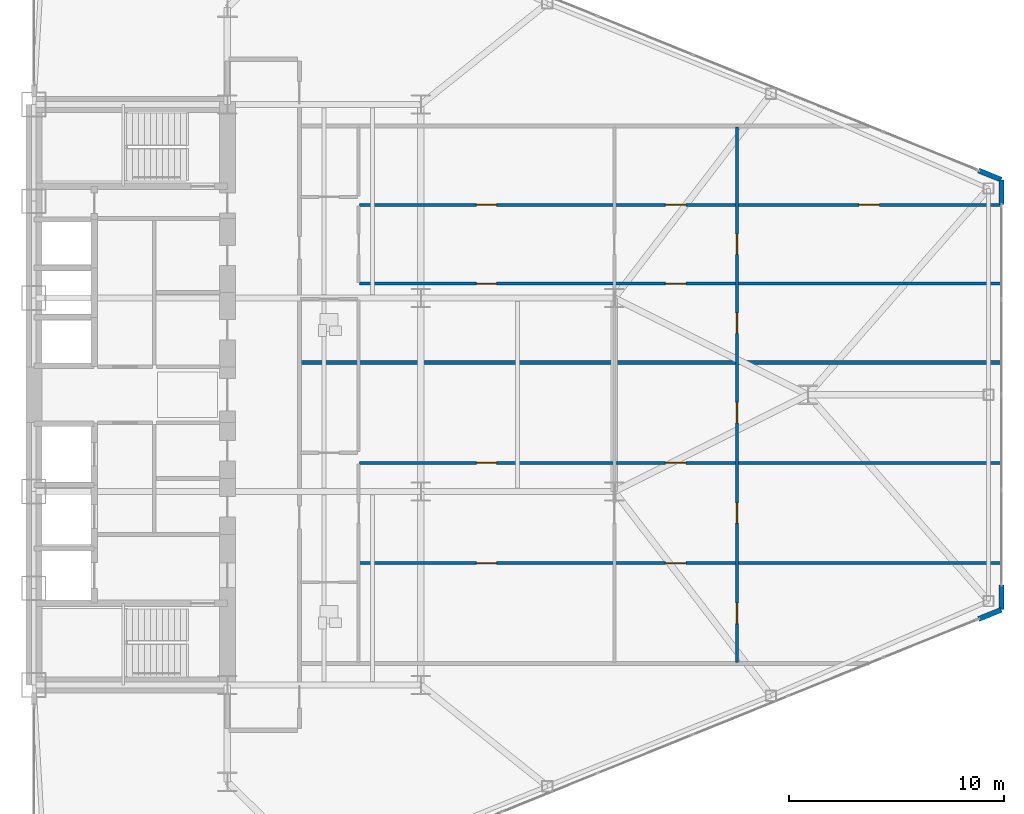
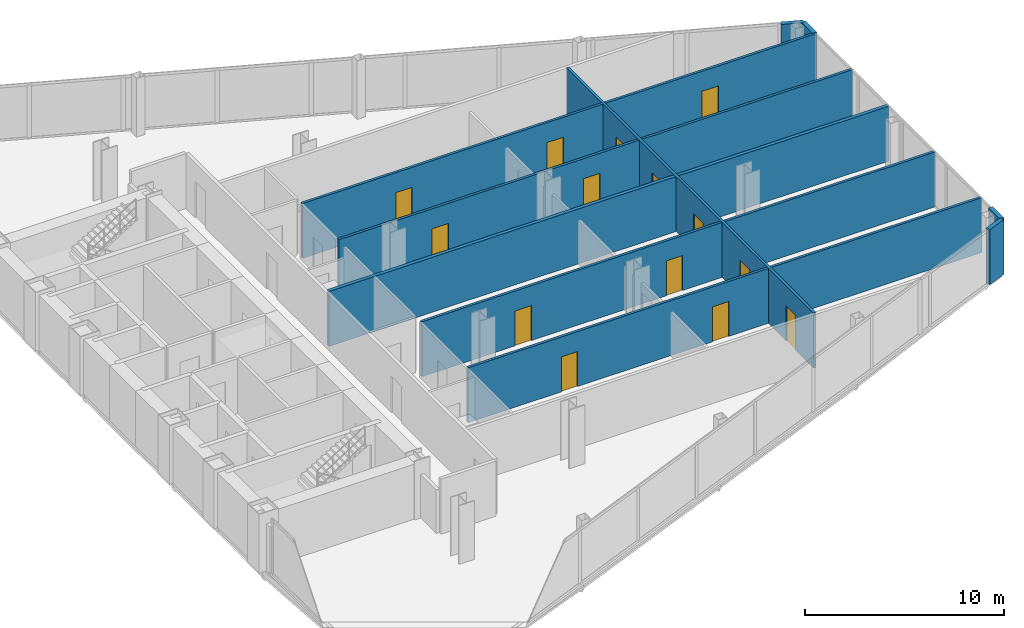
# One storey, part 22 of 25: 14 doors, 10 walls, 14 openings.
"""IFC4 building model written with IfcOpenShell, lengths in metres."""

from ifc_helpers import new_model, si_unit, direction, frame, frame_2d, origin, place, context, subcontext, project, spatial, rectangle, extrude, source, transform, mapped, material, layer, layer_set, type_object, type_shapes, element, fill, save


model = new_model("IFC4")

# Units and contexts
model_context = context("Model", 3, precision=1e-05, world=origin(), true_north=direction((0.0, 1.0)))
body_context = subcontext(model_context, "Body", "Model", "MODEL_VIEW")
ifc_project = project(units=[si_unit("LENGTHUNIT", "METRE"), si_unit("AREAUNIT", "SQUARE_METRE"), si_unit("VOLUMEUNIT", "CUBIC_METRE"), si_unit("PLANEANGLEUNIT", "RADIAN"), si_unit("MASSUNIT", "GRAM", prefix="KILO")], contexts=[model_context])

# Site, building, storey
site_placement = place(None, origin())
site = spatial("IfcSite", under=ifc_project, at=site_placement, CompositionType="ELEMENT")
building_placement = place(site_placement, origin())
building = spatial("IfcBuilding", under=site, at=building_placement, Name="Seokmaru Belvedere", CompositionType="ELEMENT")
storey_placement = place(building_placement, frame((0.0, 0.0, 51.300048828125)))
storey = spatial("IfcBuildingStorey", under=building, at=storey_placement, Name="L13", CompositionType="ELEMENT", Elevation=51.300048828125)

# Wall, openings, doors
ifc_material_1 = material(Name="Fire-Rated Gypsum Shaftwall")
ifc_layer_1 = layer(ifc_material_1, 0.14990234375)
ifc_layer_set_1 = layer_set([ifc_layer_1], Name="Fire-Rated Gypsum Shaftwall")
wall_type_1 = type_object("IfcWallType", Name="Apartment Fire-Acoustic Room Partition 150", PredefinedType="PARTITIONING", material=ifc_layer_set_1)
wall_1_placement = place(storey_placement, frame((42.64990234375, -7.830078125, 0.0), z_axis=(0.0, 0.0, 1.0), x_axis=(1.0, 0.0, 0.0)))
wall_1 = element("IfcWall", 1, at=wall_1_placement, inside=storey, type_object=wall_type_1, Name="L13 Interior Partition 012", PredefinedType="PARTITIONING", context=body_context, shape_type="SweptSolid", body=[
    extrude(rectangle(XDim=29.885009765625, YDim=0.14990234375, at=frame_2d((14.9423828125, 0.0))), origin(), (0.0, 0.0, 1.0), 3.3798828125),
])
opening_1_placement = place(wall_1_placement, frame((5.425048828125, 0.0, 0.0)))
opening_1 = element("IfcOpeningElement", 2, at=opening_1_placement, cuts=wall_1, Name="Opening D05", PredefinedType="OPENING", context=body_context, shape_type="SweptSolid", body=[
    extrude(rectangle(XDim=0.949951171875, YDim=2.14990234375, at=frame_2d((0.47509765625, 1.074951171875))), frame((0.0, 0.0849609375, 0.0), z_axis=(0.0, -1.0, 0.0), x_axis=(1.0, 0.0, 0.0)), (0.0, 0.0, 1.0), 0.169921875),
])
opening_2_placement = place(wall_1_placement, frame((14.22509765625, 0.0, 0.0)))
opening_2 = element("IfcOpeningElement", 3, at=opening_2_placement, cuts=wall_1, Name="Opening D05", PredefinedType="OPENING", context=body_context, shape_type="SweptSolid", body=[
    extrude(rectangle(XDim=0.949951171875, YDim=2.14990234375, at=frame_2d((0.47509765625, 1.074951171875))), frame((0.0, 0.0849609375, 0.0), z_axis=(0.0, -1.0, 0.0), x_axis=(1.0, 0.0, 0.0)), (0.0, 0.0, 1.0), 0.169921875),
])
ifc_material_2 = material(Name="Engineered White Oak Timber", Category="wood")
door_type = type_object("IfcDoorType", Name="Apartment Interior Fire-Rated Oak Door 950x2150", OperationType="NOTDEFINED", PredefinedType="DOOR", material=ifc_material_2)
shared_shape = source(origin(), body_context, "Body", "SweptSolid", [
    extrude(rectangle(XDim=0.949951171875, YDim=2.14990234375, at=frame_2d((0.47509765625, 1.074951171875))), frame((0.0, 0.02490234375, 0.0), z_axis=(0.0, -1.0, 0.0), x_axis=(1.0, 0.0, 0.0)), (0.0, 0.0, 1.0), 0.050048828125),
])
type_shapes(door_type, [shared_shape])
door_1_placement = place(opening_1_placement, origin())
door_1 = element("IfcDoor", 4, at=door_1_placement, inside=storey, type_object=door_type, Name="L13 Interior Door 043", OperationType="SINGLE_SWING_LEFT", OverallHeight=2.14990234375, OverallWidth=0.949951171875, PredefinedType="DOOR", context=body_context, shape_type="MappedRepresentation", body=[
    mapped(shared_shape, transform((0.0, 0.0, 0.0), scale=1.0)),
])
fill(opening_1, door_1)
door_2_placement = place(opening_2_placement, origin())
door_2 = element("IfcDoor", 5, at=door_2_placement, inside=storey, type_object=door_type, Name="L13 Interior Door 045", OperationType="SINGLE_SWING_RIGHT", OverallHeight=2.14990234375, OverallWidth=0.949951171875, PredefinedType="DOOR", context=body_context, shape_type="MappedRepresentation", body=[
    mapped(shared_shape, transform((0.0, 0.0, 0.0), scale=1.0)),
])
fill(opening_2, door_2)

wall_2_placement = place(storey_placement, frame((42.64990234375, -3.169921875, 0.0), z_axis=(0.0, 0.0, 1.0), x_axis=(1.0, 0.0, 0.0)))
wall_2 = element("IfcWall", 6, at=wall_2_placement, inside=storey, type_object=wall_type_1, Name="L13 Interior Partition 015", PredefinedType="PARTITIONING", context=body_context, shape_type="SweptSolid", body=[
    extrude(rectangle(XDim=29.885009765625, YDim=0.14990234375, at=frame_2d((14.9423828125, 0.0))), origin(), (0.0, 0.0, 1.0), 3.3798828125),
])
opening_3_placement = place(wall_2_placement, frame((5.425048828125, 0.0, 0.0)))
opening_3 = element("IfcOpeningElement", 7, at=opening_3_placement, cuts=wall_2, Name="Opening D05", PredefinedType="OPENING", context=body_context, shape_type="SweptSolid", body=[
    extrude(rectangle(XDim=0.949951171875, YDim=2.14990234375, at=frame_2d((0.47509765625, 1.074951171875))), frame((0.0, 0.0849609375, 0.0), z_axis=(0.0, -1.0, 0.0), x_axis=(1.0, 0.0, 0.0)), (0.0, 0.0, 1.0), 0.169921875),
])
opening_4_placement = place(wall_2_placement, frame((14.22509765625, 0.0, 0.0)))
opening_4 = element("IfcOpeningElement", 8, at=opening_4_placement, cuts=wall_2, Name="Opening D05", PredefinedType="OPENING", context=body_context, shape_type="SweptSolid", body=[
    extrude(rectangle(XDim=0.949951171875, YDim=2.14990234375, at=frame_2d((0.47509765625, 1.074951171875))), frame((0.0, 0.0849609375, 0.0), z_axis=(0.0, -1.0, 0.0), x_axis=(1.0, 0.0, 0.0)), (0.0, 0.0, 1.0), 0.169921875),
])
door_3_placement = place(opening_3_placement, origin())
door_3 = element("IfcDoor", 9, at=door_3_placement, inside=storey, type_object=door_type, Name="L13 Interior Door 044", OperationType="SINGLE_SWING_RIGHT", OverallHeight=2.14990234375, OverallWidth=0.949951171875, PredefinedType="DOOR", context=body_context, shape_type="MappedRepresentation", body=[
    mapped(shared_shape, transform((0.0, 0.0, 0.0), scale=1.0)),
])
fill(opening_3, door_3)
door_4_placement = place(opening_4_placement, origin())
door_4 = element("IfcDoor", 10, at=door_4_placement, inside=storey, type_object=door_type, Name="L13 Interior Door 048", OperationType="SINGLE_SWING_RIGHT", OverallHeight=2.14990234375, OverallWidth=0.949951171875, PredefinedType="DOOR", context=body_context, shape_type="MappedRepresentation", body=[
    mapped(shared_shape, transform((0.0, 0.0, 0.0), scale=1.0)),
])
fill(opening_4, door_4)

wall_3_placement = place(storey_placement, frame((42.64990234375, 5.169921875, 0.0), z_axis=(0.0, 0.0, 1.0), x_axis=(1.0, 0.0, 0.0)))
wall_3 = element("IfcWall", 11, at=wall_3_placement, inside=storey, type_object=wall_type_1, Name="L13 Interior Partition 021", PredefinedType="PARTITIONING", context=body_context, shape_type="SweptSolid", body=[
    extrude(rectangle(XDim=29.885009765625, YDim=0.14990234375, at=frame_2d((14.9423828125, 0.0))), origin(), (0.0, 0.0, 1.0), 3.3798828125),
])
opening_5_placement = place(wall_3_placement, frame((5.425048828125, 0.0, 0.0)))
opening_5 = element("IfcOpeningElement", 12, at=opening_5_placement, cuts=wall_3, Name="Opening D05", PredefinedType="OPENING", context=body_context, shape_type="SweptSolid", body=[
    extrude(rectangle(XDim=0.949951171875, YDim=2.14990234375, at=frame_2d((0.47509765625, 1.074951171875))), frame((0.0, 0.0849609375, 0.0), z_axis=(0.0, -1.0, 0.0), x_axis=(1.0, 0.0, 0.0)), (0.0, 0.0, 1.0), 0.169921875),
])
opening_6_placement = place(wall_3_placement, frame((14.22509765625, 0.0, 0.0)))
opening_6 = element("IfcOpeningElement", 13, at=opening_6_placement, cuts=wall_3, Name="Opening D05", PredefinedType="OPENING", context=body_context, shape_type="SweptSolid", body=[
    extrude(rectangle(XDim=0.949951171875, YDim=2.14990234375, at=frame_2d((0.47509765625, 1.074951171875))), frame((0.0, 0.0849609375, 0.0), z_axis=(0.0, -1.0, 0.0), x_axis=(1.0, 0.0, 0.0)), (0.0, 0.0, 1.0), 0.169921875),
])
door_5_placement = place(opening_5_placement, origin())
door_5 = element("IfcDoor", 14, at=door_5_placement, inside=storey, type_object=door_type, Name="L13 Interior Door 055", OperationType="SINGLE_SWING_LEFT", OverallHeight=2.14990234375, OverallWidth=0.949951171875, PredefinedType="DOOR", context=body_context, shape_type="MappedRepresentation", body=[
    mapped(shared_shape, transform((0.0, 0.0, 0.0), scale=1.0)),
])
fill(opening_5, door_5)
door_6_placement = place(opening_6_placement, origin())
door_6 = element("IfcDoor", 15, at=door_6_placement, inside=storey, type_object=door_type, Name="L13 Interior Door 057", OperationType="SINGLE_SWING_RIGHT", OverallHeight=2.14990234375, OverallWidth=0.949951171875, PredefinedType="DOOR", context=body_context, shape_type="MappedRepresentation", body=[
    mapped(shared_shape, transform((0.0, 0.0, 0.0), scale=1.0)),
])
fill(opening_6, door_6)

wall_4_placement = place(storey_placement, frame((42.64990234375, 8.830078125, 0.0), z_axis=(0.0, 0.0, 1.0), x_axis=(1.0, 0.0, 0.0)))
wall_4 = element("IfcWall", 16, at=wall_4_placement, inside=storey, type_object=wall_type_1, Name="L13 Interior Partition 023", PredefinedType="PARTITIONING", context=body_context, shape_type="SweptSolid", body=[
    extrude(rectangle(XDim=29.885009765625, YDim=0.14990234375, at=frame_2d((14.9423828125, 0.0))), origin(), (0.0, 0.0, 1.0), 3.3798828125),
])
opening_7_placement = place(wall_4_placement, frame((5.425048828125, 0.0, 0.0)))
opening_7 = element("IfcOpeningElement", 17, at=opening_7_placement, cuts=wall_4, Name="Opening D05", PredefinedType="OPENING", context=body_context, shape_type="SweptSolid", body=[
    extrude(rectangle(XDim=0.949951171875, YDim=2.14990234375, at=frame_2d((0.47509765625, 1.074951171875))), frame((0.0, 0.0849609375, 0.0), z_axis=(0.0, -1.0, 0.0), x_axis=(1.0, 0.0, 0.0)), (0.0, 0.0, 1.0), 0.169921875),
])
opening_8_placement = place(wall_4_placement, frame((23.22509765625, 0.0, 0.0)))
opening_8 = element("IfcOpeningElement", 18, at=opening_8_placement, cuts=wall_4, Name="Opening D05", PredefinedType="OPENING", context=body_context, shape_type="SweptSolid", body=[
    extrude(rectangle(XDim=0.949951171875, YDim=2.14990234375, at=frame_2d((0.47509765625, 1.074951171875))), frame((0.0, 0.0849609375, 0.0), z_axis=(0.0, -1.0, 0.0), x_axis=(1.0, 0.0, 0.0)), (0.0, 0.0, 1.0), 0.169921875),
])
opening_9_placement = place(wall_4_placement, frame((14.22509765625, 0.0, 0.0)))
opening_9 = element("IfcOpeningElement", 19, at=opening_9_placement, cuts=wall_4, Name="Opening D05", PredefinedType="OPENING", context=body_context, shape_type="SweptSolid", body=[
    extrude(rectangle(XDim=0.949951171875, YDim=2.14990234375, at=frame_2d((0.47509765625, 1.074951171875))), frame((0.0, 0.0849609375, 0.0), z_axis=(0.0, -1.0, 0.0), x_axis=(1.0, 0.0, 0.0)), (0.0, 0.0, 1.0), 0.169921875),
])
door_7_placement = place(opening_7_placement, origin())
door_7 = element("IfcDoor", 20, at=door_7_placement, inside=storey, type_object=door_type, Name="L13 Interior Door 056", OperationType="SINGLE_SWING_RIGHT", OverallHeight=2.14990234375, OverallWidth=0.949951171875, PredefinedType="DOOR", context=body_context, shape_type="MappedRepresentation", body=[
    mapped(shared_shape, transform((0.0, 0.0, 0.0), scale=1.0)),
])
fill(opening_7, door_7)
door_8_placement = place(opening_8_placement, origin())
door_8 = element("IfcDoor", 21, at=door_8_placement, inside=storey, type_object=door_type, Name="L13 Interior Door 060", OperationType="SINGLE_SWING_RIGHT", OverallHeight=2.14990234375, OverallWidth=0.949951171875, PredefinedType="DOOR", context=body_context, shape_type="MappedRepresentation", body=[
    mapped(shared_shape, transform((0.0, 0.0, 0.0), scale=1.0)),
])
fill(opening_8, door_8)
door_9_placement = place(opening_9_placement, origin())
door_9 = element("IfcDoor", 22, at=door_9_placement, inside=storey, type_object=door_type, Name="L13 Interior Door 061", OperationType="SINGLE_SWING_RIGHT", OverallHeight=2.14990234375, OverallWidth=0.949951171875, PredefinedType="DOOR", context=body_context, shape_type="MappedRepresentation", body=[
    mapped(shared_shape, transform((0.0, 0.0, 0.0), scale=1.0)),
])
fill(opening_9, door_9)

wall_5_placement = place(storey_placement, frame((60.199951171875, -12.449951171875, 0.0), z_axis=(0.0, 0.0, 1.0), x_axis=(0.0, 1.0, 0.0)))
wall_5 = element("IfcWall", 23, at=wall_5_placement, inside=storey, type_object=wall_type_1, Name="L13 Interior Partition 051", PredefinedType="PARTITIONING", context=body_context, shape_type="SweptSolid", body=[
    extrude(rectangle(XDim=24.89990234375, YDim=0.14990234375, at=frame_2d((12.449951171875, 0.0))), origin(), (0.0, 0.0, 1.0), 3.3798828125),
])
opening_10_placement = place(wall_5_placement, frame((1.808349609375, 0.0, 0.0)))
opening_10 = element("IfcOpeningElement", 24, at=opening_10_placement, cuts=wall_5, Name="Opening D05", PredefinedType="OPENING", context=body_context, shape_type="SweptSolid", body=[
    extrude(rectangle(XDim=0.949951171875, YDim=2.14990234375, at=frame_2d((0.47509765625, 1.074951171875))), frame((0.0, 0.0849609375, 0.0), z_axis=(0.0, -1.0, 0.0), x_axis=(1.0, 0.0, 0.0)), (0.0, 0.0, 1.0), 0.169921875),
])
opening_11_placement = place(wall_5_placement, frame((6.47509765625, 0.0, 0.0)))
opening_11 = element("IfcOpeningElement", 25, at=opening_11_placement, cuts=wall_5, Name="Opening D05", PredefinedType="OPENING", context=body_context, shape_type="SweptSolid", body=[
    extrude(rectangle(XDim=0.949951171875, YDim=2.14990234375, at=frame_2d((0.47509765625, 1.074951171875))), frame((0.0, 0.0849609375, 0.0), z_axis=(0.0, -1.0, 0.0), x_axis=(1.0, 0.0, 0.0)), (0.0, 0.0, 1.0), 0.169921875),
])
opening_12_placement = place(wall_5_placement, frame((11.1416015625, 0.0, 0.0)))
opening_12 = element("IfcOpeningElement", 26, at=opening_12_placement, cuts=wall_5, Name="Opening D05", PredefinedType="OPENING", context=body_context, shape_type="SweptSolid", body=[
    extrude(rectangle(XDim=0.949951171875, YDim=2.14990234375, at=frame_2d((0.47509765625, 1.074951171875))), frame((0.0, 0.0849609375, 0.0), z_axis=(0.0, -1.0, 0.0), x_axis=(1.0, 0.0, 0.0)), (0.0, 0.0, 1.0), 0.169921875),
])
opening_13_placement = place(wall_5_placement, frame((15.308349609375, 0.0, 0.0)))
opening_13 = element("IfcOpeningElement", 27, at=opening_13_placement, cuts=wall_5, Name="Opening D05", PredefinedType="OPENING", context=body_context, shape_type="SweptSolid", body=[
    extrude(rectangle(XDim=0.949951171875, YDim=2.14990234375, at=frame_2d((0.47509765625, 1.074951171875))), frame((0.0, 0.0849609375, 0.0), z_axis=(0.0, -1.0, 0.0), x_axis=(1.0, 0.0, 0.0)), (0.0, 0.0, 1.0), 0.169921875),
])
opening_14_placement = place(wall_5_placement, frame((18.97509765625, 0.0, 0.0)))
opening_14 = element("IfcOpeningElement", 28, at=opening_14_placement, cuts=wall_5, Name="Opening D05", PredefinedType="OPENING", context=body_context, shape_type="SweptSolid", body=[
    extrude(rectangle(XDim=0.949951171875, YDim=2.14990234375, at=frame_2d((0.47509765625, 1.074951171875))), frame((0.0, 0.0849609375, 0.0), z_axis=(0.0, -1.0, 0.0), x_axis=(1.0, 0.0, 0.0)), (0.0, 0.0, 1.0), 0.169921875),
])
door_10_placement = place(opening_10_placement, origin())
door_10 = element("IfcDoor", 29, at=door_10_placement, inside=storey, type_object=door_type, Name="L13 Interior Door 046", OperationType="SINGLE_SWING_LEFT", OverallHeight=2.14990234375, OverallWidth=0.949951171875, PredefinedType="DOOR", context=body_context, shape_type="MappedRepresentation", body=[
    mapped(shared_shape, transform((0.0, 0.0, 0.0), scale=1.0)),
])
fill(opening_10, door_10)
door_11_placement = place(opening_11_placement, origin())
door_11 = element("IfcDoor", 30, at=door_11_placement, inside=storey, type_object=door_type, Name="L13 Interior Door 047", OperationType="SINGLE_SWING_LEFT", OverallHeight=2.14990234375, OverallWidth=0.949951171875, PredefinedType="DOOR", context=body_context, shape_type="MappedRepresentation", body=[
    mapped(shared_shape, transform((0.0, 0.0, 0.0), scale=1.0)),
])
fill(opening_11, door_11)
door_12_placement = place(opening_12_placement, origin())
door_12 = element("IfcDoor", 31, at=door_12_placement, inside=storey, type_object=door_type, Name="L13 Interior Door 049", OperationType="SINGLE_SWING_LEFT", OverallHeight=2.14990234375, OverallWidth=0.949951171875, PredefinedType="DOOR", context=body_context, shape_type="MappedRepresentation", body=[
    mapped(shared_shape, transform((0.0, 0.0, 0.0), scale=1.0)),
])
fill(opening_12, door_12)
door_13_placement = place(opening_13_placement, origin())
door_13 = element("IfcDoor", 32, at=door_13_placement, inside=storey, type_object=door_type, Name="L13 Interior Door 058", OperationType="SINGLE_SWING_LEFT", OverallHeight=2.14990234375, OverallWidth=0.949951171875, PredefinedType="DOOR", context=body_context, shape_type="MappedRepresentation", body=[
    mapped(shared_shape, transform((0.0, 0.0, 0.0), scale=1.0)),
])
fill(opening_13, door_13)
door_14_placement = place(opening_14_placement, origin())
door_14 = element("IfcDoor", 33, at=door_14_placement, inside=storey, type_object=door_type, Name="L13 Interior Door 059", OperationType="SINGLE_SWING_LEFT", OverallHeight=2.14990234375, OverallWidth=0.949951171875, PredefinedType="DOOR", context=body_context, shape_type="MappedRepresentation", body=[
    mapped(shared_shape, transform((0.0, 0.0, 0.0), scale=1.0)),
])
fill(opening_14, door_14)

# Walls
ifc_layer_2 = layer(ifc_material_1, 0.199951171875)
ifc_layer_set_2 = layer_set([ifc_layer_2], Name="Fire-Rated Gypsum Shaftwall")
wall_type_2 = type_object("IfcWallType", Name="Inter-Tenancy Fire Compartment Partition 200", PredefinedType="PARTITIONING", material=ifc_layer_set_2)
wall_6_placement = place(storey_placement, frame((39.929931640625, 1.5, 0.0), z_axis=(0.0, 0.0, 1.0), x_axis=(1.0, 0.0, 0.0)))
element("IfcWall", 34, at=wall_6_placement, inside=storey, type_object=wall_type_2, Name="L13 Interior Partition 019", PredefinedType="PARTITIONING", context=body_context, shape_type="SweptSolid", body=[
    extrude(rectangle(XDim=32.574951171875, YDim=0.199951171875, at=frame_2d((16.28759765625, 0.0))), origin(), (0.0, 0.0, 1.0), 3.3798828125),
])
ifc_material_3 = material(Name="Anodised Bronze Aluminium", Category="aluminium")
ifc_layer_3 = layer(ifc_material_3, 0.239990234375)
ifc_layer_set_3 = layer_set([ifc_layer_3], Name="Anodised Bronze Aluminium")
wall_type_3 = type_object("IfcWallType", Name="Tower Corner Spandrel Closure Wall 240", PredefinedType="SOLIDWALL", material=ifc_layer_set_3)
for number, where, z_axis, x_axis, name in (
    (35, (71.43408203125, -10.431396484375, 0.0), (0.0, 0.0, 1.0), (0.927007103665, 0.375043770452, 0.0), "L13 E Corner Closure Pier 1B"),
    (36, (72.5, -9.989990234375, 0.0), (0.0, 0.0, 1.0), (0.0, 1.0, 0.0), "L13 E Corner Closure Pier 2A"),
    (37, (72.5, 8.85009765625, 0.0), (0.0, 0.0, 1.0), (0.0, 1.0, 0.0), "L13 E Corner Closure Pier 2B"),
    (38, (72.49072265625, 10.00390625, 0.0), (0.0, 0.0, 1.0), (-0.927007103665, 0.375043770452, 0.0), "L13 E Corner Closure Pier 3A"),
):
    element("IfcWall", number, at=place(storey_placement, frame(where, z_axis=z_axis, x_axis=x_axis)), inside=storey, type_object=wall_type_3, Name=name, PredefinedType="SOLIDWALL", context=body_context, shape_type="SweptSolid", body=[
        extrude(rectangle(XDim=1.139892578125, YDim=0.239990234375, at=frame_2d((0.56982421875, 0.0))), origin(), (0.0, 0.0, 1.0), 3.3798828125),
    ])

save(model, "model.ifc")
